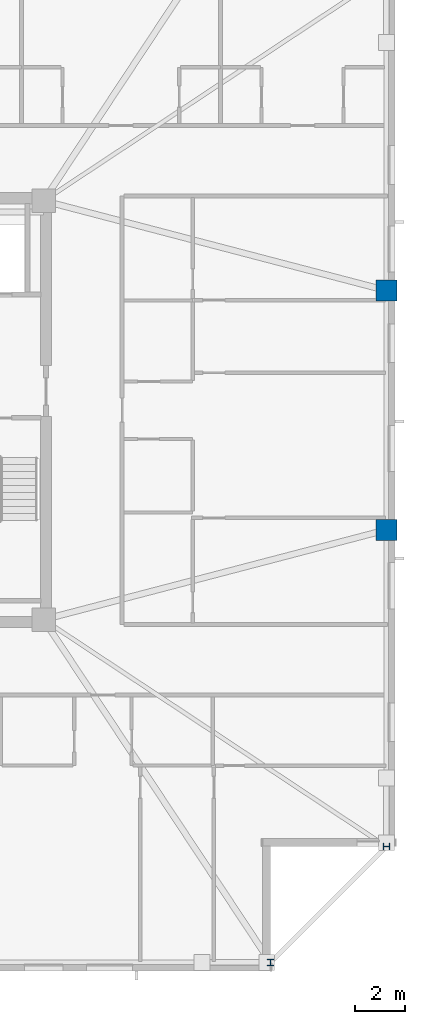
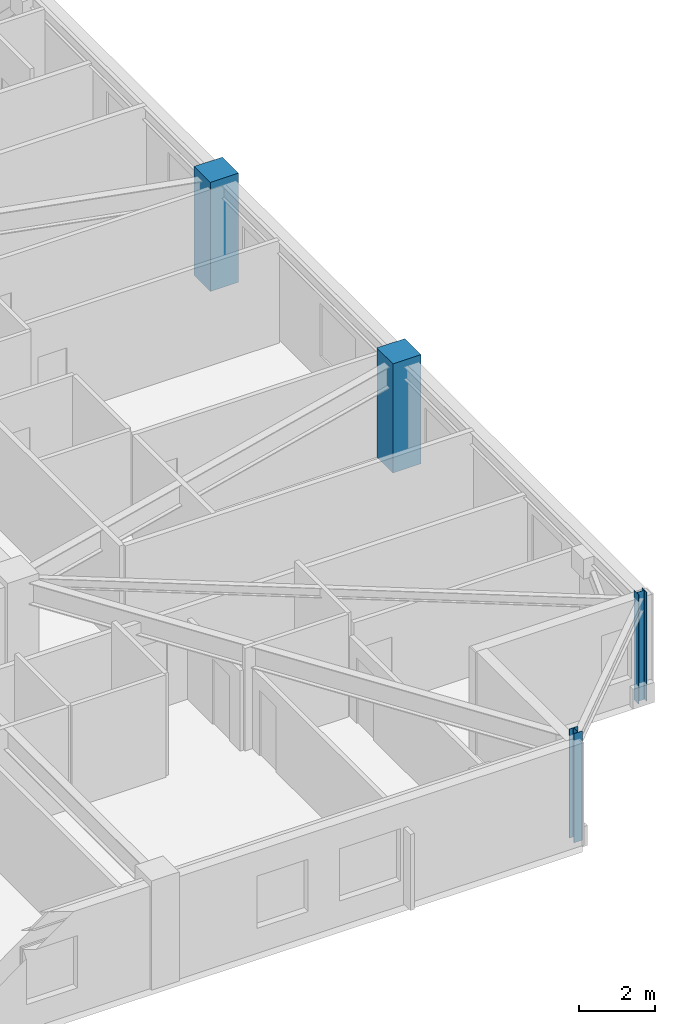
# One storey, part 3 of 15: 4 columns.
"""IFC4 building model written with IfcOpenShell, lengths in metres."""

from ifc_helpers import new_model, si_unit, direction, frame, origin, origin_2d, place, context, subcontext, project, spatial, rectangle, i_section, extrude, material, material_profile, profile_set, type_object, element, save


model = new_model("IFC4")

# Units and contexts
model_context = context("Model", 3, precision=1e-05, world=origin(), true_north=direction((0.0, 1.0)))
body_context = subcontext(model_context, "Body", "Model", "MODEL_VIEW")
ifc_project = project(units=[si_unit("LENGTHUNIT", "METRE"), si_unit("AREAUNIT", "SQUARE_METRE"), si_unit("VOLUMEUNIT", "CUBIC_METRE"), si_unit("PLANEANGLEUNIT", "RADIAN"), si_unit("MASSUNIT", "GRAM", prefix="KILO")], contexts=[model_context])

# Site, building, storey
site_placement = place(None, origin())
site = spatial("IfcSite", under=ifc_project, at=site_placement, CompositionType="ELEMENT")
building_placement = place(site_placement, origin())
building = spatial("IfcBuilding", under=site, at=building_placement, Name="Cairnveth Concourse Tower", CompositionType="ELEMENT")
storey_placement = place(building_placement, frame((0.0, 0.0, 265.5)))
storey = spatial("IfcBuildingStorey", under=building, at=storey_placement, Name="L73", CompositionType="ELEMENT", Elevation=265.5)

# Columns
ifc_material_1 = material(Name="Concrete N65 (65 MPa)", Category="concrete")
ifc_material_profile_1 = material_profile(ifc_material_1, rectangle(XDim=0.85009765625, YDim=0.85009765625, at=origin_2d()), Name="RC-COL-850x850")
ifc_profile_set_1 = profile_set([ifc_material_profile_1], Name="Concrete N65 (65 MPa)")
column_type_1 = type_object("IfcColumnType", Name="PERIMETER PIER COLUMN 850X850", PredefinedType="COLUMN", material=ifc_profile_set_1)
for number, where, z_axis, x_axis, name in (
    (1, (74.14990234375, 34.199951171875, 0.0), (0.0, 0.0, 1.0), (0.0, 1.0, 0.0), "Column P-E2 L73"),
    (2, (74.14990234375, 43.800048828125, 0.0), (0.0, 0.0, 1.0), (0.0, 1.0, 0.0), "Column P-E3 L73"),
):
    element("IfcColumn", number, at=place(storey_placement, frame(where, z_axis=z_axis, x_axis=x_axis)), inside=storey, type_object=column_type_1, Name=name, PredefinedType="COLUMN", context=body_context, shape_type="SweptSolid", body=[
        extrude(rectangle(XDim=0.85009765625, YDim=0.85009765625, at=origin_2d()), origin(), (0.0, 0.0, 1.0), 3.5),
    ])
ifc_material_2 = material(Name="Steel Grade 350", Category="steel")
ifc_material_profile_2 = material_profile(ifc_material_2, i_section(OverallWidth=0.256103515625, OverallDepth=0.260009765625, WebThickness=0.010498046875, FlangeThickness=0.017333984375, FilletRadius=0.012939453125, at=origin_2d()), Name="250UC89.5")
ifc_profile_set_2 = profile_set([ifc_material_profile_2], Name="Steel Grade 350")
column_type_2 = type_object("IfcColumnType", Name="UNIVERSAL STEEL COLUMN 250UC89.5", PredefinedType="COLUMN", material=ifc_profile_set_2)
for number, where, z_axis, x_axis, name in (
    (3, (69.5, 16.85009765625, 0.0), (0.0, 0.0, 1.0), (1.0, 0.0, 0.0), "Column P-S4 L73"),
    (4, (74.14990234375, 21.5, 0.0), (0.0, 0.0, 1.0), (0.0, 1.0, 0.0), "Column P-E1 L73"),
):
    element("IfcColumn", number, at=place(storey_placement, frame(where, z_axis=z_axis, x_axis=x_axis)), inside=storey, type_object=column_type_2, Name=name, PredefinedType="COLUMN", context=body_context, shape_type="SweptSolid", body=[
        extrude(i_section(OverallWidth=0.256103515625, OverallDepth=0.260009765625, WebThickness=0.010498046875, FlangeThickness=0.017333984375, FilletRadius=0.012939453125, at=origin_2d()), origin(), (0.0, 0.0, 1.0), 3.5),
    ])

save(model, "model.ifc")
